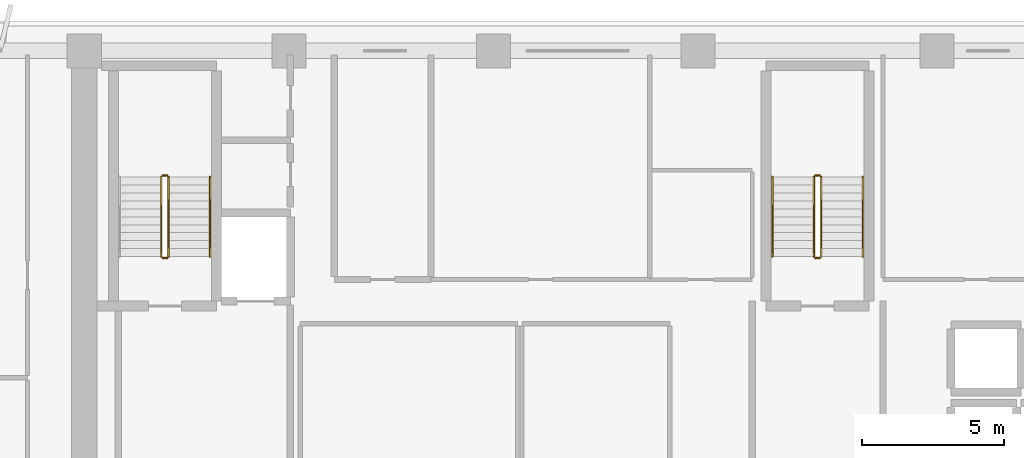
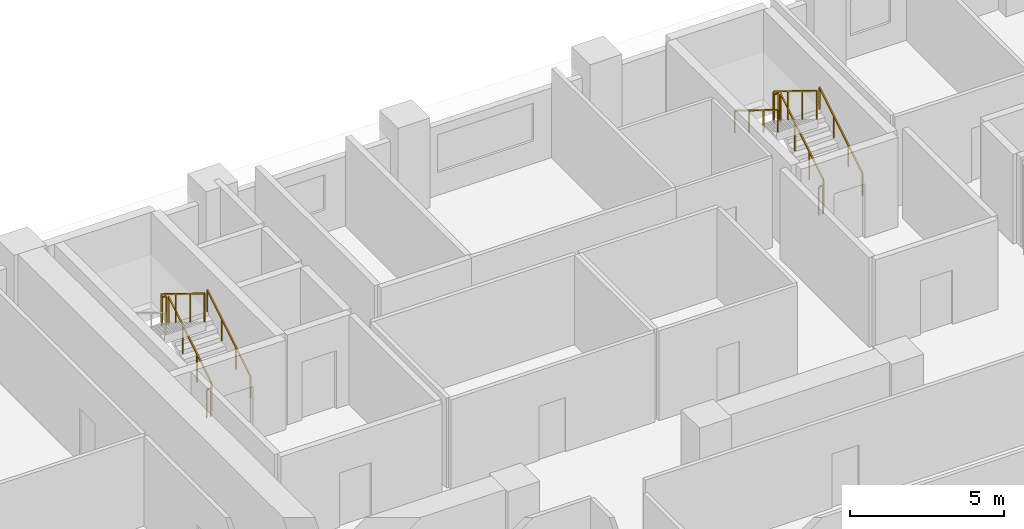
# One storey, part 13 of 15: 11 railings.
"""IFC4 building model written with IfcOpenShell, lengths in metres."""

from ifc_helpers import new_model, si_unit, direction, frame, origin, origin_2d, place, context, subcontext, project, spatial, rectangle, extrude, material, type_object, element, save


model = new_model("IFC4")

# Units and contexts
model_context = context("Model", 3, precision=1e-05, world=origin(), true_north=direction((0.0, 1.0)))
body_context = subcontext(model_context, "Body", "Model", "MODEL_VIEW")
ifc_project = project(units=[si_unit("LENGTHUNIT", "METRE"), si_unit("AREAUNIT", "SQUARE_METRE"), si_unit("VOLUMEUNIT", "CUBIC_METRE"), si_unit("PLANEANGLEUNIT", "RADIAN"), si_unit("MASSUNIT", "GRAM", prefix="KILO")], contexts=[model_context])

# Site, building, storey
site_placement = place(None, origin())
site = spatial("IfcSite", under=ifc_project, at=site_placement, CompositionType="ELEMENT")
building_placement = place(site_placement, origin())
building = spatial("IfcBuilding", under=site, at=building_placement, Name="Kaelvorn Grand Hotel", CompositionType="ELEMENT")
storey_placement = place(building_placement, frame((0.0, 0.0, 177.14990234375)))
storey = spatial("IfcBuildingStorey", under=building, at=storey_placement, Name="L43", CompositionType="ELEMENT", Elevation=177.14990234375)

# Railings
ifc_material = material(Name="Stainless Steel", Category="steel")
railing_type_1 = type_object("IfcRailingType", Name="RL-HANDRAIL-900", PredefinedType="HANDRAIL", material=ifc_material)
for number, where, name in (
    (1, (20.6298828125, 41.760009765625, 0.1728515625), "L43 ST1 stair handrail 1"),
    (2, (43.590087890625, 41.760009765625, 0.1728515625), "L43 ST2 stair handrail 1"),
):
    element("IfcRailing", number, at=place(storey_placement, frame(where)), inside=storey, type_object=railing_type_1, Name=name, PredefinedType="HANDRAIL", context=body_context, shape_type="SweptSolid", body=[
        extrude(rectangle(XDim=0.048095703125, YDim=0.048095703125, at=origin_2d()), frame((0.0, 0.0, 0.8759765625), z_axis=(0.0, 0.851089632645, 0.525020415988), x_axis=(-1.0, 0.0, 0.0)), (0.0, 0.0, 1.0), 3.2900390625),
        extrude(rectangle(XDim=0.0419921875, YDim=0.0419921875, at=origin_2d()), origin(), (0.0, 0.0, 1.0), 0.851806640625),
        extrude(rectangle(XDim=0.0419921875, YDim=0.0419921875, at=origin_2d()), frame((0.0, 0.933349609375, 0.57568359375)), (0.0, 0.0, 1.0), 0.851806640625),
        extrude(rectangle(XDim=0.0419921875, YDim=0.0419921875, at=origin_2d()), frame((0.0, 1.86669921875, 1.151611328125)), (0.0, 0.0, 1.0), 0.851806640625),
        extrude(rectangle(XDim=0.0419921875, YDim=0.0419921875, at=origin_2d()), frame((0.0, 2.800048828125, 1.727294921875)), (0.0, 0.0, 1.0), 0.851806640625),
    ])
railing_1_placement = place(storey_placement, frame((40.409912109375, 44.56005859375, 2.07275390625)))
element("IfcRailing", 3, at=railing_1_placement, inside=storey, type_object=railing_type_1, Name="L43 ST2 stair handrail 2", PredefinedType="HANDRAIL", context=body_context, shape_type="SweptSolid", body=[
    extrude(rectangle(XDim=0.048095703125, YDim=0.048095703125, at=origin_2d()), frame((0.0, 0.0, 0.8759765625), z_axis=(0.0, -0.851089632645, 0.525020415988), x_axis=(1.0, 0.0, 0.0)), (0.0, 0.0, 1.0), 3.2900390625),
    extrude(rectangle(XDim=0.0419921875, YDim=0.0419921875, at=origin_2d()), origin(), (0.0, 0.0, 1.0), 0.851806640625),
    extrude(rectangle(XDim=0.0419921875, YDim=0.0419921875, at=origin_2d()), frame((0.0, -0.933349609375, 0.57568359375)), (0.0, 0.0, 1.0), 0.851806640625),
    extrude(rectangle(XDim=0.0419921875, YDim=0.0419921875, at=origin_2d()), frame((0.0, -1.86669921875, 1.151611328125)), (0.0, 0.0, 1.0), 0.851806640625),
    extrude(rectangle(XDim=0.0419921875, YDim=0.0419921875, at=origin_2d()), frame((0.0, -2.800048828125, 1.727294921875)), (0.0, 0.0, 1.0), 0.851806640625),
])
railing_type_2 = type_object("IfcRailingType", Name="RL-STAIR-GUARD-1150", PredefinedType="BALUSTRADE", material=ifc_material)
railing_2_placement = place(storey_placement, frame((19.169921875, 41.760009765625, 0.1728515625)))
element("IfcRailing", 4, at=railing_2_placement, inside=storey, type_object=railing_type_2, Name="L43 ST1 stair guard 1", PredefinedType="BALUSTRADE", context=body_context, shape_type="SweptSolid", body=[
    extrude(rectangle(XDim=0.048095703125, YDim=0.048095703125, at=origin_2d()), frame((0.0, 0.0, 1.1259765625), z_axis=(0.0, 0.851089632645, 0.525020415988), x_axis=(-1.0, 0.0, 0.0)), (0.0, 0.0, 1.0), 3.2900390625),
    extrude(rectangle(XDim=0.0419921875, YDim=0.0419921875, at=origin_2d()), origin(), (0.0, 0.0, 1.0), 1.101806640625),
    extrude(rectangle(XDim=0.0419921875, YDim=0.0419921875, at=origin_2d()), frame((0.0, 0.933349609375, 0.57568359375)), (0.0, 0.0, 1.0), 1.101806640625),
    extrude(rectangle(XDim=0.0419921875, YDim=0.0419921875, at=origin_2d()), frame((0.0, 1.86669921875, 1.151611328125)), (0.0, 0.0, 1.0), 1.101806640625),
    extrude(rectangle(XDim=0.0419921875, YDim=0.0419921875, at=origin_2d()), frame((0.0, 2.800048828125, 1.727294921875)), (0.0, 0.0, 1.0), 1.101806640625),
])
railing_3_placement = place(storey_placement, frame((19.1201171875, 44.610107421875, 1.900146484375)))
element("IfcRailing", 5, at=railing_3_placement, inside=storey, type_object=railing_type_2, Name="L43 ST1 stair guard 2", PredefinedType="BALUSTRADE", context=body_context, shape_type="SweptSolid", body=[
    extrude(rectangle(XDim=0.048095703125, YDim=0.048095703125, at=origin_2d()), frame((0.0, 0.0, 1.1259765625), z_axis=(-1.0, 0.0, 0.0), x_axis=(0.0, -1.0, 0.0)), (0.0, 0.0, 1.0), 0.16015625),
    extrude(rectangle(XDim=0.0419921875, YDim=0.0419921875, at=origin_2d()), origin(), (0.0, 0.0, 1.0), 1.101806640625),
    extrude(rectangle(XDim=0.0419921875, YDim=0.0419921875, at=origin_2d()), frame((-0.16015625, 0.0, 0.0)), (0.0, 0.0, 1.0), 1.101806640625),
])
railing_4_placement = place(storey_placement, frame((18.909912109375, 44.56005859375, 2.07275390625)))
element("IfcRailing", 6, at=railing_4_placement, inside=storey, type_object=railing_type_2, Name="L43 ST1 stair guard 3", PredefinedType="BALUSTRADE", context=body_context, shape_type="SweptSolid", body=[
    extrude(rectangle(XDim=0.048095703125, YDim=0.048095703125, at=origin_2d()), frame((0.0, 0.0, 1.1259765625), z_axis=(0.0, -0.851089632645, 0.525020415988), x_axis=(1.0, 0.0, 0.0)), (0.0, 0.0, 1.0), 3.2900390625),
    extrude(rectangle(XDim=0.0419921875, YDim=0.0419921875, at=origin_2d()), origin(), (0.0, 0.0, 1.0), 1.101806640625),
    extrude(rectangle(XDim=0.0419921875, YDim=0.0419921875, at=origin_2d()), frame((0.0, -0.933349609375, 0.57568359375)), (0.0, 0.0, 1.0), 1.101806640625),
    extrude(rectangle(XDim=0.0419921875, YDim=0.0419921875, at=origin_2d()), frame((0.0, -1.86669921875, 1.151611328125)), (0.0, 0.0, 1.0), 1.101806640625),
    extrude(rectangle(XDim=0.0419921875, YDim=0.0419921875, at=origin_2d()), frame((0.0, -2.800048828125, 1.727294921875)), (0.0, 0.0, 1.0), 1.101806640625),
])
railing_5_placement = place(storey_placement, frame((19.1201171875, 41.7099609375, 0.0)))
element("IfcRailing", 7, at=railing_5_placement, inside=storey, type_object=railing_type_2, Name="L43 ST1 stair guard 4", PredefinedType="BALUSTRADE", context=body_context, shape_type="SweptSolid", body=[
    extrude(rectangle(XDim=0.048095703125, YDim=0.048095703125, at=origin_2d()), frame((0.0, 0.0, 1.1259765625), z_axis=(-1.0, 0.0, 0.0), x_axis=(0.0, -1.0, 0.0)), (0.0, 0.0, 1.0), 0.16015625),
    extrude(rectangle(XDim=0.0419921875, YDim=0.0419921875, at=origin_2d()), origin(), (0.0, 0.0, 1.0), 1.101806640625),
    extrude(rectangle(XDim=0.0419921875, YDim=0.0419921875, at=origin_2d()), frame((-0.16015625, 0.0, 0.0)), (0.0, 0.0, 1.0), 1.101806640625),
])
railing_6_placement = place(storey_placement, frame((42.1298828125, 41.760009765625, 0.1728515625)))
element("IfcRailing", 8, at=railing_6_placement, inside=storey, type_object=railing_type_2, Name="L43 ST2 stair guard 1", PredefinedType="BALUSTRADE", context=body_context, shape_type="SweptSolid", body=[
    extrude(rectangle(XDim=0.048095703125, YDim=0.048095703125, at=origin_2d()), frame((0.0, 0.0, 1.1259765625), z_axis=(0.0, 0.851089632645, 0.525020415988), x_axis=(-1.0, 0.0, 0.0)), (0.0, 0.0, 1.0), 3.2900390625),
    extrude(rectangle(XDim=0.0419921875, YDim=0.0419921875, at=origin_2d()), origin(), (0.0, 0.0, 1.0), 1.101806640625),
    extrude(rectangle(XDim=0.0419921875, YDim=0.0419921875, at=origin_2d()), frame((0.0, 0.933349609375, 0.57568359375)), (0.0, 0.0, 1.0), 1.101806640625),
    extrude(rectangle(XDim=0.0419921875, YDim=0.0419921875, at=origin_2d()), frame((0.0, 1.86669921875, 1.151611328125)), (0.0, 0.0, 1.0), 1.101806640625),
    extrude(rectangle(XDim=0.0419921875, YDim=0.0419921875, at=origin_2d()), frame((0.0, 2.800048828125, 1.727294921875)), (0.0, 0.0, 1.0), 1.101806640625),
])
railing_7_placement = place(storey_placement, frame((42.080078125, 44.610107421875, 1.900146484375)))
element("IfcRailing", 9, at=railing_7_placement, inside=storey, type_object=railing_type_2, Name="L43 ST2 stair guard 2", PredefinedType="BALUSTRADE", context=body_context, shape_type="SweptSolid", body=[
    extrude(rectangle(XDim=0.048095703125, YDim=0.048095703125, at=origin_2d()), frame((0.0, 0.0, 1.1259765625), z_axis=(-1.0, 0.0, 0.0), x_axis=(0.0, -1.0, 0.0)), (0.0, 0.0, 1.0), 0.16015625),
    extrude(rectangle(XDim=0.0419921875, YDim=0.0419921875, at=origin_2d()), origin(), (0.0, 0.0, 1.0), 1.101806640625),
    extrude(rectangle(XDim=0.0419921875, YDim=0.0419921875, at=origin_2d()), frame((-0.16015625, 0.0, 0.0)), (0.0, 0.0, 1.0), 1.101806640625),
])
railing_8_placement = place(storey_placement, frame((41.8701171875, 44.56005859375, 2.07275390625)))
element("IfcRailing", 10, at=railing_8_placement, inside=storey, type_object=railing_type_2, Name="L43 ST2 stair guard 3", PredefinedType="BALUSTRADE", context=body_context, shape_type="SweptSolid", body=[
    extrude(rectangle(XDim=0.048095703125, YDim=0.048095703125, at=origin_2d()), frame((0.0, 0.0, 1.1259765625), z_axis=(0.0, -0.851089632645, 0.525020415988), x_axis=(1.0, 0.0, 0.0)), (0.0, 0.0, 1.0), 3.2900390625),
    extrude(rectangle(XDim=0.0419921875, YDim=0.0419921875, at=origin_2d()), origin(), (0.0, 0.0, 1.0), 1.101806640625),
    extrude(rectangle(XDim=0.0419921875, YDim=0.0419921875, at=origin_2d()), frame((0.0, -0.933349609375, 0.57568359375)), (0.0, 0.0, 1.0), 1.101806640625),
    extrude(rectangle(XDim=0.0419921875, YDim=0.0419921875, at=origin_2d()), frame((0.0, -1.86669921875, 1.151611328125)), (0.0, 0.0, 1.0), 1.101806640625),
    extrude(rectangle(XDim=0.0419921875, YDim=0.0419921875, at=origin_2d()), frame((0.0, -2.800048828125, 1.727294921875)), (0.0, 0.0, 1.0), 1.101806640625),
])
railing_9_placement = place(storey_placement, frame((42.080078125, 41.7099609375, 0.0)))
element("IfcRailing", 11, at=railing_9_placement, inside=storey, type_object=railing_type_2, Name="L43 ST2 stair guard 4", PredefinedType="BALUSTRADE", context=body_context, shape_type="SweptSolid", body=[
    extrude(rectangle(XDim=0.048095703125, YDim=0.048095703125, at=origin_2d()), frame((0.0, 0.0, 1.1259765625), z_axis=(-1.0, 0.0, 0.0), x_axis=(0.0, -1.0, 0.0)), (0.0, 0.0, 1.0), 0.16015625),
    extrude(rectangle(XDim=0.0419921875, YDim=0.0419921875, at=origin_2d()), origin(), (0.0, 0.0, 1.0), 1.101806640625),
    extrude(rectangle(XDim=0.0419921875, YDim=0.0419921875, at=origin_2d()), frame((-0.16015625, 0.0, 0.0)), (0.0, 0.0, 1.0), 1.101806640625),
])

save(model, "model.ifc")
